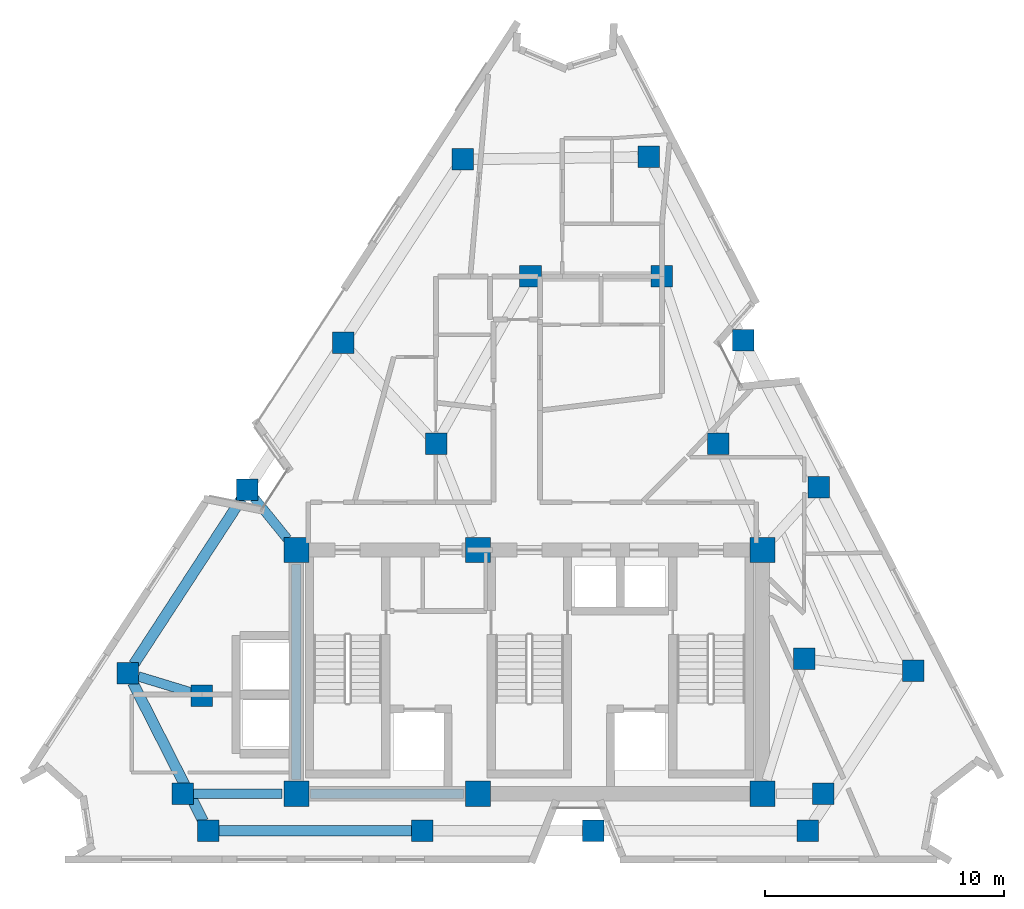
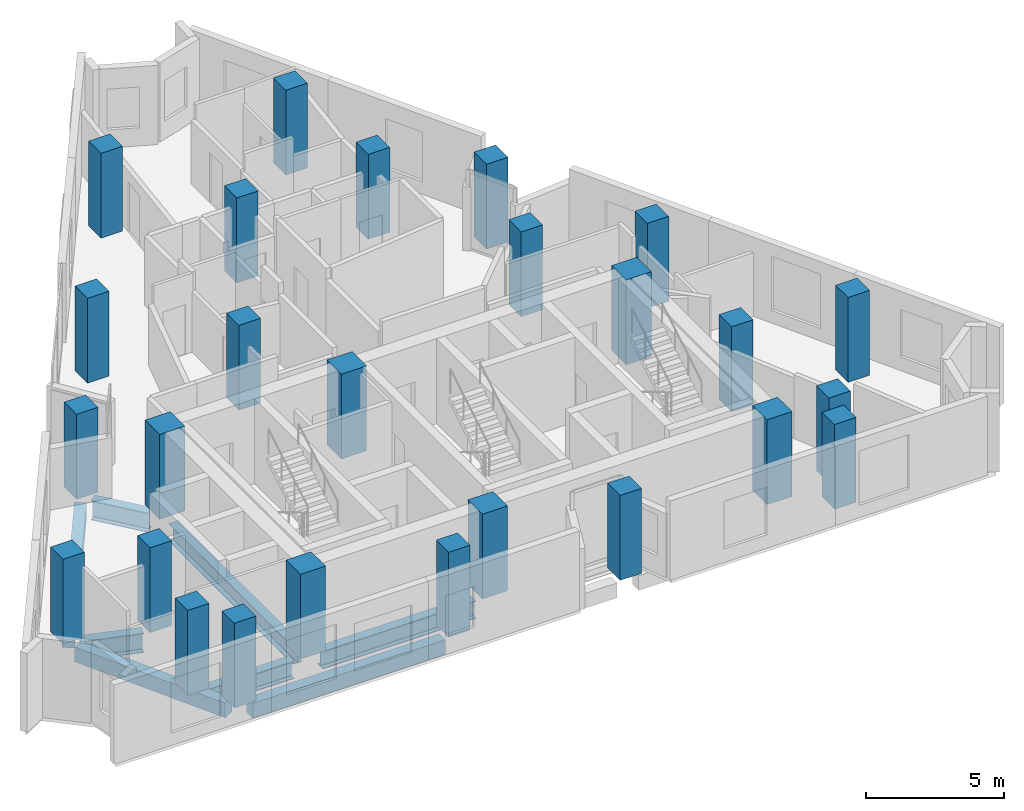
# One storey, part 1 of 9: 26 columns, 8 beams.
"""IFC4 building model written with IfcOpenShell, lengths in metres."""

from ifc_helpers import new_model, si_unit, direction, frame, origin, origin_2d, place, context, subcontext, project, spatial, rectangle, i_section, extrude, material, material_profile, profile_set, type_object, element, save


model = new_model("IFC4")

# Units and contexts
model_context = context("Model", 3, precision=1e-05, world=origin(), true_north=direction((0.0, 1.0)))
body_context = subcontext(model_context, "Body", "Model", "MODEL_VIEW")
ifc_project = project(units=[si_unit("LENGTHUNIT", "METRE"), si_unit("AREAUNIT", "SQUARE_METRE"), si_unit("VOLUMEUNIT", "CUBIC_METRE"), si_unit("PLANEANGLEUNIT", "RADIAN"), si_unit("MASSUNIT", "GRAM", prefix="KILO")], contexts=[model_context])

# Site, building, storey
site_placement = place(None, origin())
site = spatial("IfcSite", under=ifc_project, at=site_placement, CompositionType="ELEMENT")
building_placement = place(site_placement, origin())
building = spatial("IfcBuilding", under=site, at=building_placement, Name="Almagre Mirador Tower", CompositionType="ELEMENT")
storey_placement = place(building_placement, frame((0.0, 0.0, 207.0)))
storey = spatial("IfcBuildingStorey", under=building, at=storey_placement, Name="L53", CompositionType="ELEMENT", Elevation=207.0)

# Columns
ifc_material_1 = material(Name="Concrete C60/75", Category="concrete")
ifc_material_profile_1 = material_profile(ifc_material_1, rectangle(XDim=1.050048828125, YDim=1.050048828125, at=origin_2d()), Name="RC1050X1050")
ifc_profile_set_1 = profile_set([ifc_material_profile_1], Name="Concrete C60/75")
column_type_1 = type_object("IfcColumnType", Name="COL-RC1050", PredefinedType="COLUMN", material=ifc_profile_set_1)
for number, where, z_axis, x_axis, name in (
    (1, (27.550048828125, 4.550048828125, 0.0), (0.0, 0.0, 1.0), (1.0, 0.0, 0.0), "L53 core spine column CC1"),
    (2, (35.14990234375, 4.550048828125, 0.0), (0.0, 0.0, 1.0), (1.0, 0.0, 0.0), "L53 core spine column CC2"),
    (3, (47.050048828125, 4.550048828125, 0.0), (0.0, 0.0, 1.0), (1.0, 0.0, 0.0), "L53 core spine column CC3"),
    (4, (27.550048828125, 14.75, 0.0), (0.0, 0.0, 1.0), (1.0, 0.0, 0.0), "L53 core spine column CC4"),
    (5, (35.14990234375, 14.75, 0.0), (0.0, 0.0, 1.0), (1.0, 0.0, 0.0), "L53 core spine column CC5"),
    (6, (47.050048828125, 14.75, 0.0), (0.0, 0.0, 1.0), (1.0, 0.0, 0.0), "L53 core spine column CC6"),
):
    element("IfcColumn", number, at=place(storey_placement, frame(where, z_axis=z_axis, x_axis=x_axis)), inside=storey, type_object=column_type_1, Name=name, PredefinedType="COLUMN", context=body_context, shape_type="SweptSolid", body=[
        extrude(rectangle(XDim=1.050048828125, YDim=1.050048828125, at=origin_2d()), origin(), (0.0, 0.0, 1.0), 3.75),
    ])
ifc_material_2 = material(Name="Concrete C60/75", Category="concrete")
ifc_material_profile_2 = material_profile(ifc_material_2, rectangle(XDim=0.89990234375, YDim=0.89990234375, at=origin_2d()), Name="RC900X900")
ifc_profile_set_2 = profile_set([ifc_material_profile_2], Name="Concrete C60/75")
column_type_2 = type_object("IfcColumnType", Name="COL-RC900", PredefinedType="COLUMN", material=ifc_profile_set_2)
for number, where, z_axis, x_axis, name in (
    (7, (22.800048828125, 4.550048828125, 0.0), (0.0, 0.0, 1.0), (1.0, 0.0, 0.0), "L53 interior transfer column MC1"),
    (8, (49.60009765625, 4.550048828125, 0.0), (0.0, 0.0, 1.0), (1.0, 0.0, 0.0), "L53 interior transfer column MC2"),
    (9, (48.800048828125, 10.199951171875, 0.0), (0.0, 0.0, 1.0), (1.0, 0.0, 0.0), "L53 interior transfer column MC3"),
    (10, (45.199951171875, 19.199951171875, 0.0), (0.0, 0.0, 1.0), (1.0, 0.0, 0.0), "L53 interior transfer column MC5"),
    (11, (42.85009765625, 26.199951171875, 0.0), (0.0, 0.0, 1.0), (1.0, 0.0, 0.0), "L53 interior transfer column MC6"),
    (12, (37.35009765625, 26.199951171875, 0.0), (0.0, 0.0, 1.0), (1.0, 0.0, 0.0), "L53 interior transfer column MC7"),
    (13, (33.39990234375, 19.199951171875, 0.0), (0.0, 0.0, 1.0), (1.0, 0.0, 0.0), "L53 interior transfer column MC8"),
    (14, (23.60009765625, 8.64990234375, 0.0), (0.0, 0.0, 1.0), (1.0, 0.0, 0.0), "L53 interior transfer column MC10"),
    (15, (23.85595703125, 3.0, 0.0), (0.0, 0.0, 1.0), (1.0, 0.0, 0.0), "L53 perimeter column PC01"),
    (16, (32.81591796875, 3.0, 0.0), (0.0, 0.0, 1.0), (1.0, 0.0, 0.0), "L53 perimeter column PC02"),
    (17, (39.98388671875, 3.0, 0.0), (0.0, 0.0, 1.0), (1.0, 0.0, 0.0), "L53 perimeter column PC03"),
    (18, (48.944091796875, 3.0, 0.0), (0.0, 0.0, 1.0), (1.0, 0.0, 0.0), "L53 perimeter column PC04"),
    (19, (53.376953125, 9.697998046875, 0.0), (0.0, 0.0, 1.0), (1.0, 0.0, 0.0), "L53 perimeter column PC05"),
    (20, (49.4169921875, 17.3779296875, 0.0), (0.0, 0.0, 1.0), (1.0, 0.0, 0.0), "L53 perimeter column PC06"),
    (21, (46.2490234375, 23.52197265625, 0.0), (0.0, 0.0, 1.0), (1.0, 0.0, 0.0), "L53 perimeter column PC07"),
    (22, (42.2890625, 31.201904296875, 0.0), (0.0, 0.0, 1.0), (1.0, 0.0, 0.0), "L53 perimeter column PC08"),
    (23, (34.506103515625, 31.096923828125, 0.0), (0.0, 0.0, 1.0), (1.0, 0.0, 0.0), "L53 perimeter column PC09"),
    (24, (29.506103515625, 23.4169921875, 0.0), (0.0, 0.0, 1.0), (1.0, 0.0, 0.0), "L53 perimeter column PC10"),
    (25, (25.506103515625, 17.27294921875, 0.0), (0.0, 0.0, 1.0), (1.0, 0.0, 0.0), "L53 perimeter column PC11"),
    (26, (20.506103515625, 9.593017578125, 0.0), (0.0, 0.0, 1.0), (1.0, 0.0, 0.0), "L53 perimeter column PC12"),
):
    element("IfcColumn", number, at=place(storey_placement, frame(where, z_axis=z_axis, x_axis=x_axis)), inside=storey, type_object=column_type_2, Name=name, PredefinedType="COLUMN", context=body_context, shape_type="SweptSolid", body=[
        extrude(rectangle(XDim=0.89990234375, YDim=0.89990234375, at=origin_2d()), origin(), (0.0, 0.0, 1.0), 3.75),
    ])

# Beams
ifc_material_3 = material(Name="Precast concrete C50/60", Category="concrete")
ifc_material_profile_3 = material_profile(ifc_material_3, rectangle(XDim=0.449951171875, YDim=0.64990234375, at=origin_2d()), Name="RC450X650")
ifc_profile_set_3 = profile_set([ifc_material_profile_3], Name="Precast concrete C50/60")
beam_type_1 = type_object("IfcBeamType", Name="BM-SPN-RC450X650", PredefinedType="SPANDREL", material=ifc_profile_set_3)
beam_1_placement = place(storey_placement, frame((24.305908203125, 3.0, -0.574951171875), z_axis=(1.0, 0.0, 0.0), x_axis=(0.0, 1.0, 0.0)))
element("IfcBeam", 27, at=beam_1_placement, inside=storey, type_object=beam_type_1, Name="L53 perimeter spandrel beam PC01-PC02", PredefinedType="SPANDREL", context=body_context, shape_type="SweptSolid", body=[
    extrude(rectangle(XDim=0.449951171875, YDim=0.64990234375, at=origin_2d()), origin(), (0.0, 0.0, 1.0), 8.06005859375),
])
beam_2_placement = place(storey_placement, frame((25.260498046875, 16.89599609375, -0.574951171875), z_axis=(-0.545607073801, -0.838041121317, 0.0), x_axis=(0.838041121317, -0.545607073801, 0.0)))
element("IfcBeam", 28, at=beam_2_placement, inside=storey, type_object=beam_type_1, Name="L53 perimeter spandrel beam PC11-PC12", PredefinedType="SPANDREL", context=body_context, shape_type="SweptSolid", body=[
    extrude(rectangle(XDim=0.449951171875, YDim=0.64990234375, at=origin_2d()), origin(), (0.0, 0.0, 1.0), 8.26416015625),
])
beam_3_placement = place(storey_placement, frame((20.709716796875, 9.19189453125, -0.574951171875), z_axis=(0.452992552256, -0.891514300278, 0.0), x_axis=(0.891514300278, 0.452992552256, 0.0)))
element("IfcBeam", 29, at=beam_3_placement, inside=storey, type_object=beam_type_1, Name="L53 perimeter spandrel beam PC12-PC01", PredefinedType="SPANDREL", context=body_context, shape_type="SweptSolid", body=[
    extrude(rectangle(XDim=0.449951171875, YDim=0.64990234375, at=origin_2d()), origin(), (0.0, 0.0, 1.0), 6.495361328125),
])
ifc_material_4 = material(Name="Steel ASTM A992 Grade 50", Category="steel")
ifc_material_profile_4 = material_profile(ifc_material_4, i_section(OverallWidth=0.384033203125, OverallDepth=0.784912109375, WebThickness=0.019775390625, FlangeThickness=0.033447265625, FilletRadius=0.02392578125, at=origin_2d()), Name="W30X211")
ifc_profile_set_4 = profile_set([ifc_material_profile_4], Name="Steel ASTM A992 Grade 50")
beam_type_2 = type_object("IfcBeamType", Name="BM-STL-W30X211", PredefinedType="BEAM", material=ifc_profile_set_4)
beam_4_placement = place(storey_placement, frame((28.14990234375, 4.550048828125, -0.642578125), z_axis=(1.0, 0.0, 0.0), x_axis=(0.0, 1.0, 0.0)))
element("IfcBeam", 30, at=beam_4_placement, inside=storey, type_object=beam_type_2, Name="L53 core tie girder CC1-CC2", PredefinedType="BEAM", context=body_context, shape_type="SweptSolid", body=[
    extrude(i_section(OverallWidth=0.384033203125, OverallDepth=0.784912109375, WebThickness=0.019775390625, FlangeThickness=0.033447265625, FilletRadius=0.02392578125, at=origin_2d()), origin(), (0.0, 0.0, 1.0), 6.400146484375),
])
beam_5_placement = place(storey_placement, frame((27.550048828125, 5.14990234375, -0.642578125), z_axis=(0.0, 1.0, 0.0), x_axis=(-1.0, 0.0, 0.0)))
element("IfcBeam", 31, at=beam_5_placement, inside=storey, type_object=beam_type_2, Name="L53 core tie girder CC1-CC4", PredefinedType="BEAM", context=body_context, shape_type="SweptSolid", body=[
    extrude(i_section(OverallWidth=0.384033203125, OverallDepth=0.784912109375, WebThickness=0.019775390625, FlangeThickness=0.033447265625, FilletRadius=0.02392578125, at=origin_2d()), origin(), (0.0, 0.0, 1.0), 9.0),
])
beam_6_placement = place(storey_placement, frame((23.25, 4.550048828125, -0.642578125), z_axis=(1.0, 0.0, 0.0), x_axis=(0.0, 1.0, 0.0)))
element("IfcBeam", 32, at=beam_6_placement, inside=storey, type_object=beam_type_2, Name="L53 core tie girder MC1-CC1", PredefinedType="BEAM", context=body_context, shape_type="SweptSolid", body=[
    extrude(i_section(OverallWidth=0.384033203125, OverallDepth=0.784912109375, WebThickness=0.019775390625, FlangeThickness=0.033447265625, FilletRadius=0.02392578125, at=origin_2d()), origin(), (0.0, 0.0, 1.0), 3.699951171875),
])
ifc_material_5 = material(Name="Steel ASTM A992 Grade 50", Category="steel")
ifc_material_profile_5 = material_profile(ifc_material_5, i_section(OverallWidth=0.39892578125, OverallDepth=0.85595703125, WebThickness=0.018310546875, FlangeThickness=0.029296875, FilletRadius=0.02490234375, at=origin_2d()), Name="W33X201")
ifc_profile_set_5 = profile_set([ifc_material_profile_5], Name="Steel ASTM A992 Grade 50")
beam_type_3 = type_object("IfcBeamType", Name="BM-STL-W33X201", PredefinedType="BEAM", material=ifc_profile_set_5)
beam_7_placement = place(storey_placement, frame((25.789306640625, 16.92333984375, -0.677978515625), z_axis=(0.629521044718, -0.776983432421, 0.0), x_axis=(0.776983432421, 0.629521044718, 0.0)))
element("IfcBeam", 33, at=beam_7_placement, inside=storey, type_object=beam_type_3, Name="L53 radial floor girder PC11-CC4", PredefinedType="BEAM", context=body_context, shape_type="SweptSolid", body=[
    extrude(i_section(OverallWidth=0.39892578125, OverallDepth=0.85595703125, WebThickness=0.018310546875, FlangeThickness=0.029296875, FilletRadius=0.02490234375, at=origin_2d()), origin(), (0.0, 0.0, 1.0), 2.197021484375),
])
beam_8_placement = place(storey_placement, frame((20.9365234375, 9.4619140625, -0.677978515625), z_axis=(0.956544591639, -0.291586083697, 0.0), x_axis=(0.291586083697, 0.956544591639, 0.0)))
element("IfcBeam", 34, at=beam_8_placement, inside=storey, type_object=beam_type_3, Name="L53 radial floor girder PC12-MC10", PredefinedType="BEAM", context=body_context, shape_type="SweptSolid", body=[
    extrude(i_section(OverallWidth=0.39892578125, OverallDepth=0.85595703125, WebThickness=0.018310546875, FlangeThickness=0.029296875, FilletRadius=0.02490234375, at=origin_2d()), origin(), (0.0, 0.0, 1.0), 2.334228515625),
])

save(model, "model.ifc")
